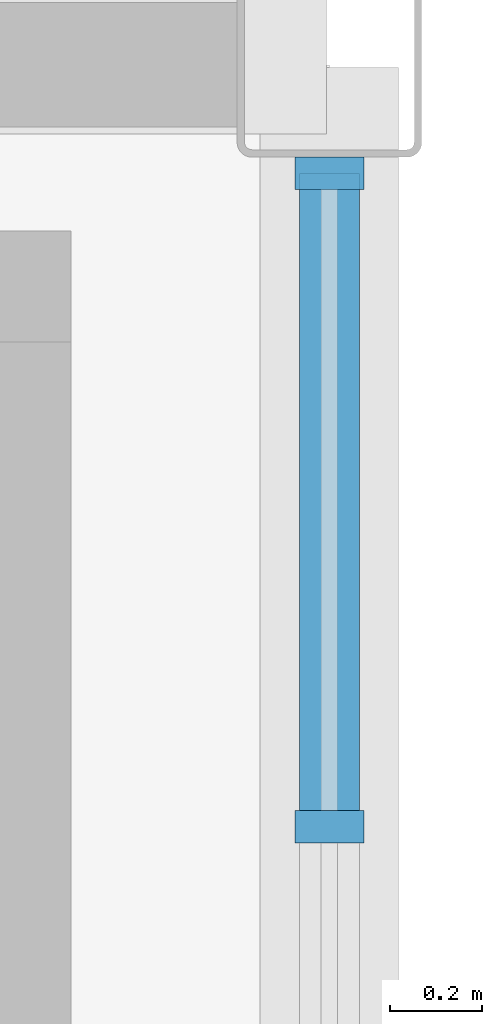
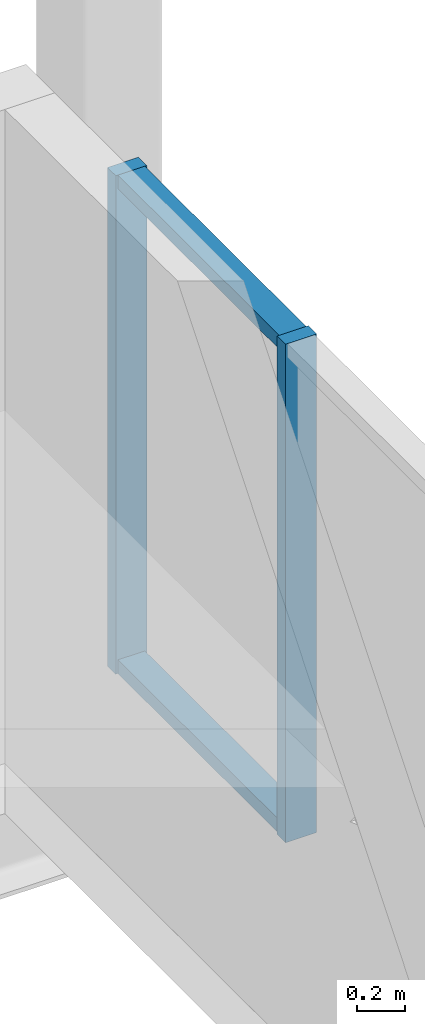
# One storey, part 8 of 17: 4 members, 1 element without a shape of its own.
"""IFC4 building model written with IfcOpenShell, lengths in metres."""

from ifc_helpers import new_model, si_unit, direction, frame, origin, origin_2d, place, context, subcontext, project, spatial, rectangle, extrude, material, layer, layer_set, type_object, element, aggregate, save


model = new_model("IFC4")

# Units and contexts
model_context = context("Model", 3, precision=1e-05, world=origin(), true_north=direction((0.0, 1.0)))
body_context = subcontext(model_context, "Body", "Model", "MODEL_VIEW")
ifc_project = project(units=[si_unit("LENGTHUNIT", "METRE"), si_unit("AREAUNIT", "SQUARE_METRE"), si_unit("VOLUMEUNIT", "CUBIC_METRE"), si_unit("PLANEANGLEUNIT", "RADIAN"), si_unit("MASSUNIT", "GRAM", prefix="KILO")], contexts=[model_context])

# Site, building, storey
site_placement = place(None, origin())
site = spatial("IfcSite", under=ifc_project, at=site_placement, CompositionType="ELEMENT")
building_placement = place(site_placement, origin())
building = spatial("IfcBuilding", under=site, at=building_placement, Name="Yukiwa Park Conservatory and Herbarium", CompositionType="ELEMENT")
storey_placement = place(building_placement, frame((0.0, 0.0, 57.60009765625)))
storey = spatial("IfcBuildingStorey", under=building, at=storey_placement, Name="L15", CompositionType="ELEMENT", Elevation=57.60009765625)

# Curtain wall, members
ifc_material_1 = material(Name="Triple Low-E Insulated Glass", Category="glass")
ifc_layer = layer(ifc_material_1, 0.2119140625)
ifc_layer_set = layer_set([ifc_layer], Name="Triple Low-E Insulated Glass")
curtain_wall_type = type_object("IfcCurtainWallType", Name="CW-TOWER-SKY-1400", PredefinedType="NOTDEFINED", material=ifc_layer_set)
curtain_wall_placement = place(storey_placement, origin())
curtain_wall = element("IfcCurtainWall", 1, at=curtain_wall_placement, inside=storey, type_object=curtain_wall_type, Name="L15 unitised curtain wall CW-L15-144", PredefinedType="NOTDEFINED")
ifc_material_2 = material(Name="Anodised Aluminium", Category="aluminium")
member_type_1 = type_object("IfcMemberType", Name="MB-CW-MUL-70X150", PredefinedType="MULLION", material=ifc_material_2)
member_1_placement = place(storey_placement, frame((168.0, 113.550048828125, -0.000244140625), z_axis=(0.0, 0.0, 1.0), x_axis=(0.0, 1.0, 0.0)))
member_1 = element("IfcMember", 2, at=member_1_placement, type_object=member_type_1, Name="CW-L15-144 mullion 8", PredefinedType="MULLION", context=body_context, shape_type="SweptSolid", body=[
    extrude(rectangle(XDim=0.070068359375, YDim=0.14990234375, at=origin_2d()), origin(), (0.0, 0.0, 1.0), 2.5380859375),
])
member_2_placement = place(storey_placement, frame((168.0, 114.965087890625, -0.000244140625), z_axis=(0.0, 0.0, 1.0), x_axis=(0.0, 1.0, 0.0)))
member_2 = element("IfcMember", 3, at=member_2_placement, type_object=member_type_1, Name="CW-L15-144 mullion 9", PredefinedType="MULLION", context=body_context, shape_type="SweptSolid", body=[
    extrude(rectangle(XDim=0.070068359375, YDim=0.14990234375, at=origin_2d()), origin(), (0.0, 0.0, 1.0), 2.5380859375),
])
ifc_material_3 = material(Name="Anodised Aluminium", Category="aluminium")
member_type_2 = type_object("IfcMemberType", Name="MB-CW-TRN-70X130", PredefinedType="USERDEFINED", material=ifc_material_3)
member_3_placement = place(storey_placement, frame((168.0, 114.27490234375, 0.0), z_axis=(0.0, 0.0, 1.0), x_axis=(0.0, 1.0, 0.0)))
member_3 = element("IfcMember", 4, at=member_3_placement, type_object=member_type_2, Name="CW-L15-144 transom 8.1", ObjectType="TRANSOM", PredefinedType="USERDEFINED", context=body_context, shape_type="SweptSolid", body=[
    extrude(rectangle(XDim=1.3798828125, YDim=0.1298828125, at=origin_2d()), origin(), (0.0, 0.0, 1.0), 0.070068359375),
])
member_4_placement = place(storey_placement, frame((168.0, 114.27490234375, 2.4677734375), z_axis=(0.0, 0.0, 1.0), x_axis=(0.0, 1.0, 0.0)))
member_4 = element("IfcMember", 5, at=member_4_placement, type_object=member_type_2, Name="CW-L15-144 transom 8.2", ObjectType="TRANSOM", PredefinedType="USERDEFINED", context=body_context, shape_type="SweptSolid", body=[
    extrude(rectangle(XDim=1.3798828125, YDim=0.1298828125, at=origin_2d()), origin(), (0.0, 0.0, 1.0), 0.070068359375),
])
aggregate(curtain_wall, [member_1, member_2, member_3, member_4])

save(model, "model.ifc")
